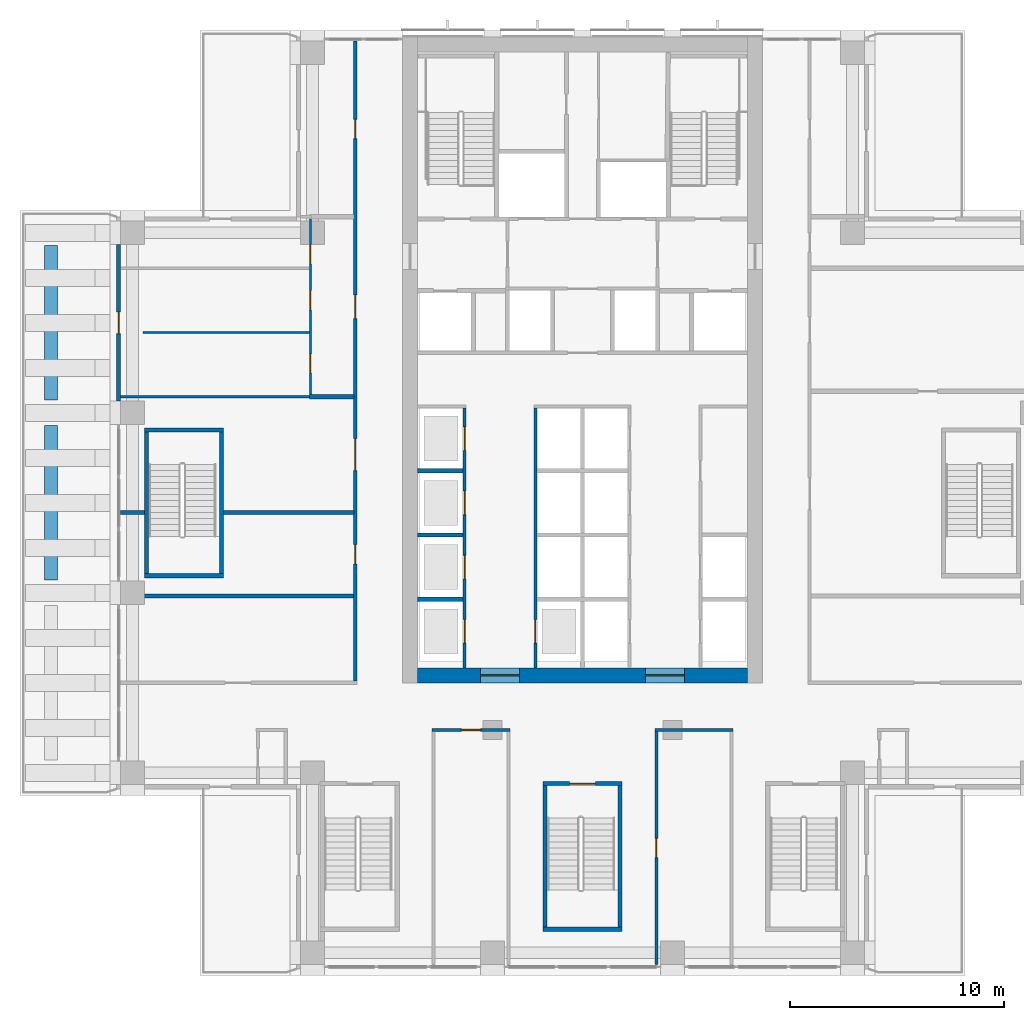
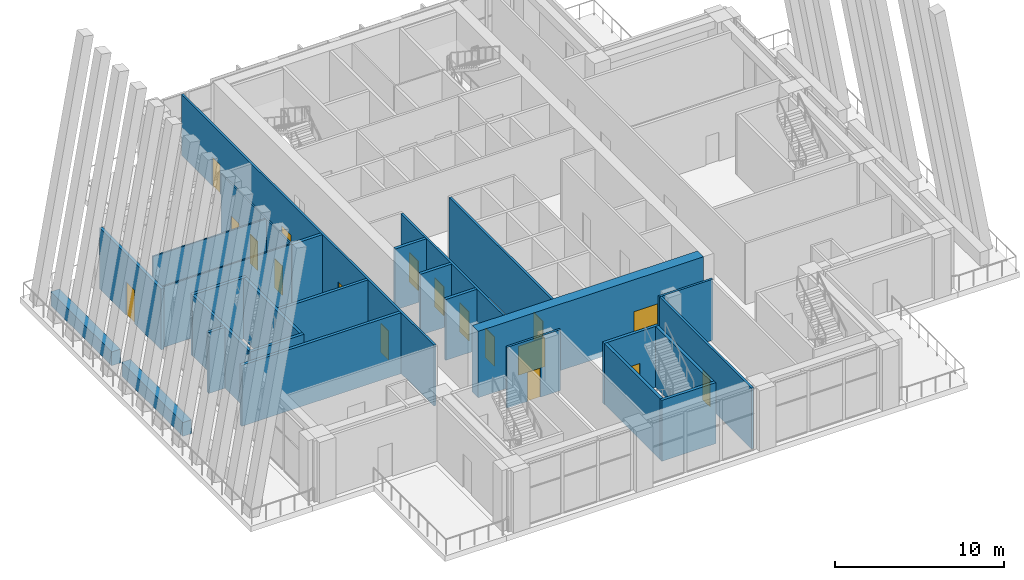
# One storey, part 9 of 19: 28 walls, 18 doors, 18 openings.
"""IFC4 building model written with IfcOpenShell, lengths in metres."""

from ifc_helpers import new_model, si_unit, direction, frame, frame_2d, origin, place, context, subcontext, project, spatial, rectangle, extrude, material, layer, layer_set, type_object, element, fill, save


model = new_model("IFC4")

# Units and contexts
model_context = context("Model", 3, precision=1e-05, world=origin(), true_north=direction((0.0, 1.0)))
body_context = subcontext(model_context, "Body", "Model", "MODEL_VIEW")
ifc_project = project(units=[si_unit("LENGTHUNIT", "METRE"), si_unit("AREAUNIT", "SQUARE_METRE"), si_unit("VOLUMEUNIT", "CUBIC_METRE"), si_unit("PLANEANGLEUNIT", "RADIAN"), si_unit("MASSUNIT", "GRAM", prefix="KILO")], contexts=[model_context])

# Site, building, storey
site_placement = place(None, origin())
site = spatial("IfcSite", under=ifc_project, at=site_placement, CompositionType="ELEMENT")
building_placement = place(site_placement, origin())
building = spatial("IfcBuilding", under=site, at=building_placement, Name="Vermilion Ogive Tower", CompositionType="ELEMENT")
storey_placement = place(building_placement, frame((0.0, 0.0, 128.300048828125)))
storey = spatial("IfcBuildingStorey", under=building, at=storey_placement, Name="L32", CompositionType="ELEMENT", Elevation=128.300048828125)

# Wall, openings, doors
ifc_material_1 = material(Name="Concrete B60", Category="concrete")
ifc_layer_1 = layer(ifc_material_1, 0.699951171875)
ifc_layer_set_1 = layer_set([ifc_layer_1], Name="Core wall 700 B60")
wall_type_1 = type_object("IfcWallType", Name="Core wall 700 B60", PredefinedType="SHEAR", material=ifc_layer_set_1)
wall_1_placement = place(storey_placement, frame((-7.699951171875, -8.050048828125, -0.400146484375), z_axis=(0.0, 0.0, 1.0), x_axis=(1.0, 0.0, 0.0)))
wall_1 = element("IfcWall", 1, at=wall_1_placement, inside=storey, type_object=wall_type_1, Name="L32-CORE-S", PredefinedType="SHEAR", context=body_context, shape_type="SweptSolid", body=[
    extrude(rectangle(XDim=15.39990234375, YDim=0.699951171875, at=frame_2d((7.699951171875, 0.0))), origin(), (0.0, 0.0, 1.0), 4.800048828125),
])
opening_1_placement = place(wall_1_placement, frame((2.949951171875, 0.0, 0.39990234375)))
opening_1 = element("IfcOpeningElement", 2, at=opening_1_placement, cuts=wall_1, Name="Opening DBT001", PredefinedType="OPENING", context=body_context, shape_type="SweptSolid", body=[
    extrude(rectangle(XDim=1.800048828125, YDim=2.10009765625, at=frame_2d((0.89990234375, 1.050048828125))), frame((0.0, 0.35986328125, 0.0), z_axis=(0.0, -1.0, 0.0), x_axis=(1.0, 0.0, 0.0)), (0.0, 0.0, 1.0), 0.719970703125),
])
opening_2_placement = place(wall_1_placement, frame((10.64990234375, 0.0, 0.39990234375)))
opening_2 = element("IfcOpeningElement", 3, at=opening_2_placement, cuts=wall_1, Name="Opening DBT002", PredefinedType="OPENING", context=body_context, shape_type="SweptSolid", body=[
    extrude(rectangle(XDim=1.800048828125, YDim=2.10009765625, at=frame_2d((0.89990234375, 1.050048828125))), frame((0.0, 0.35986328125, 0.0), z_axis=(0.0, -1.0, 0.0), x_axis=(1.0, 0.0, 0.0)), (0.0, 0.0, 1.0), 0.719970703125),
])
ifc_material_2 = material(Name="Timber door leaf", Category="wood")
door_type_1 = type_object("IfcDoorType", Name="Core entry door 1800 x 2100 FD60S", OperationType="DOUBLE_DOOR_SINGLE_SWING", PredefinedType="DOOR", material=ifc_material_2)
door_1_placement = place(opening_1_placement, origin())
door_1 = element("IfcDoor", 4, at=door_1_placement, inside=storey, type_object=door_type_1, Name="L32-CK-XD1", OperationType="SINGLE_SWING_LEFT", OverallHeight=2.10009765625, OverallWidth=1.800048828125, PredefinedType="DOOR", context=body_context, shape_type="SweptSolid", body=[
    extrude(rectangle(XDim=1.800048828125, YDim=2.10009765625, at=frame_2d((0.89990234375, 1.050048828125))), frame((0.0, 0.02490234375, 0.0), z_axis=(0.0, -1.0, 0.0), x_axis=(1.0, 0.0, 0.0)), (0.0, 0.0, 1.0), 0.050048828125),
])
fill(opening_1, door_1)
door_2_placement = place(opening_2_placement, origin())
door_2 = element("IfcDoor", 5, at=door_2_placement, inside=storey, type_object=door_type_1, Name="L32-CK-XD2", OperationType="SINGLE_SWING_LEFT", OverallHeight=2.10009765625, OverallWidth=1.800048828125, PredefinedType="DOOR", context=body_context, shape_type="SweptSolid", body=[
    extrude(rectangle(XDim=1.800048828125, YDim=2.10009765625, at=frame_2d((0.89990234375, 1.050048828125))), frame((0.0, 0.02490234375, 0.0), z_axis=(0.0, -1.0, 0.0), x_axis=(1.0, 0.0, 0.0)), (0.0, 0.0, 1.0), 0.050048828125),
])
fill(opening_2, door_2)

# Walls
ifc_material_3 = material(Name="Gypsum board partition on steel studs", Category="steel")
ifc_layer_2 = layer(ifc_material_3, 0.10009765625)
ifc_layer_set_2 = layer_set([ifc_layer_2], Name="Partition 100 bath")
wall_type_2 = type_object("IfcWallType", Name="Partition 100 bath", PredefinedType="PARTITIONING", material=ifc_layer_set_2)
wall_2_placement = place(storey_placement, frame((-21.550048828125, 4.949951171875, 0.0), z_axis=(0.0, 0.0, 1.0), x_axis=(1.0, 0.0, 0.0)))
element("IfcWall", 6, at=wall_2_placement, inside=storey, type_object=wall_type_2, Name="L32-FS-W-W011", PredefinedType="PARTITIONING", context=body_context, shape_type="SweptSolid", body=[
    extrude(rectangle(XDim=8.900146484375, YDim=0.10009765625, at=frame_2d((4.4501953125, 0.0))), origin(), (0.0, 0.0, 1.0), 4.39990234375),
])
wall_3_placement = place(storey_placement, frame((-20.5, 7.949951171875, 0.0), z_axis=(0.0, 0.0, 1.0), x_axis=(1.0, 0.0, 0.0)))
element("IfcWall", 7, at=wall_3_placement, inside=storey, type_object=wall_type_2, Name="L32-FS-W-W014", PredefinedType="PARTITIONING", context=body_context, shape_type="SweptSolid", body=[
    extrude(rectangle(XDim=7.75, YDim=0.10009765625, at=frame_2d((3.875, 0.0))), origin(), (0.0, 0.0, 1.0), 4.39990234375),
])

# Wall, openings, doors
wall_4_placement = place(storey_placement, frame((-12.699951171875, 5.050048828125, 0.0), z_axis=(0.0, 0.0, 1.0), x_axis=(0.0, 1.0, 0.0)))
wall_4 = element("IfcWall", 8, at=wall_4_placement, inside=storey, type_object=wall_type_2, Name="L32-FS-W-W022", PredefinedType="PARTITIONING", context=body_context, shape_type="SweptSolid", body=[
    extrude(rectangle(XDim=8.199951171875, YDim=0.10009765625, at=frame_2d((4.10009765625, 0.0))), origin(), (0.0, 0.0, 1.0), 4.39990234375),
])
opening_3_placement = place(wall_4_placement, frame((1.0, 0.0, 0.0)))
opening_3 = element("IfcOpeningElement", 9, at=opening_3_placement, cuts=wall_4, Name="Opening L32S004", PredefinedType="OPENING", context=body_context, shape_type="SweptSolid", body=[
    extrude(rectangle(XDim=0.89990234375, YDim=2.10009765625, at=frame_2d((0.449951171875, 1.050048828125))), frame((0.0, 0.06005859375, 0.0), z_axis=(0.0, -1.0, 0.0), x_axis=(1.0, 0.0, 0.0)), (0.0, 0.0, 1.0), 0.1201171875),
])
opening_4_placement = place(wall_4_placement, frame((3.949951171875, 0.0, 0.0)))
opening_4 = element("IfcOpeningElement", 10, at=opening_4_placement, cuts=wall_4, Name="Opening L32S005", PredefinedType="OPENING", context=body_context, shape_type="SweptSolid", body=[
    extrude(rectangle(XDim=0.89990234375, YDim=2.10009765625, at=frame_2d((0.449951171875, 1.050048828125))), frame((0.0, 0.06005859375, 0.0), z_axis=(0.0, -1.0, 0.0), x_axis=(1.0, 0.0, 0.0)), (0.0, 0.0, 1.0), 0.1201171875),
])
opening_5_placement = place(wall_4_placement, frame((6.099853515625, 0.0, 0.0)))
opening_5 = element("IfcOpeningElement", 11, at=opening_5_placement, cuts=wall_4, Name="Opening L32S006", PredefinedType="OPENING", context=body_context, shape_type="SweptSolid", body=[
    extrude(rectangle(XDim=0.89990234375, YDim=2.10009765625, at=frame_2d((0.449951171875, 1.050048828125))), frame((0.0, 0.06005859375, 0.0), z_axis=(0.0, -1.0, 0.0), x_axis=(1.0, 0.0, 0.0)), (0.0, 0.0, 1.0), 0.1201171875),
])
ifc_material_4 = material(Name="Timber door leaf", Category="wood")
door_type_2 = type_object("IfcDoorType", Name="Room door 900 x 2100 FD30", OperationType="SINGLE_SWING_LEFT", PredefinedType="DOOR", material=ifc_material_4)
door_3_placement = place(opening_3_placement, origin())
door_3 = element("IfcDoor", 12, at=door_3_placement, inside=storey, type_object=door_type_2, Name="L32-FS-D-D004", OperationType="SINGLE_SWING_LEFT", OverallHeight=2.10009765625, OverallWidth=0.89990234375, PredefinedType="DOOR", context=body_context, shape_type="SweptSolid", body=[
    extrude(rectangle(XDim=0.89990234375, YDim=2.10009765625, at=frame_2d((0.449951171875, 1.050048828125))), frame((0.0, 0.02490234375, 0.0), z_axis=(0.0, -1.0, 0.0), x_axis=(1.0, 0.0, 0.0)), (0.0, 0.0, 1.0), 0.050048828125),
])
fill(opening_3, door_3)
door_4_placement = place(opening_4_placement, origin())
door_4 = element("IfcDoor", 13, at=door_4_placement, inside=storey, type_object=door_type_2, Name="L32-FS-D-D005", OperationType="SINGLE_SWING_LEFT", OverallHeight=2.10009765625, OverallWidth=0.89990234375, PredefinedType="DOOR", context=body_context, shape_type="SweptSolid", body=[
    extrude(rectangle(XDim=0.89990234375, YDim=2.10009765625, at=frame_2d((0.449951171875, 1.050048828125))), frame((0.0, 0.02490234375, 0.0), z_axis=(0.0, -1.0, 0.0), x_axis=(1.0, 0.0, 0.0)), (0.0, 0.0, 1.0), 0.050048828125),
])
fill(opening_4, door_4)
door_5_placement = place(opening_5_placement, origin())
door_5 = element("IfcDoor", 14, at=door_5_placement, inside=storey, type_object=door_type_2, Name="L32-FS-D-D006", OperationType="SINGLE_SWING_LEFT", OverallHeight=2.10009765625, OverallWidth=0.89990234375, PredefinedType="DOOR", context=body_context, shape_type="SweptSolid", body=[
    extrude(rectangle(XDim=0.89990234375, YDim=2.10009765625, at=frame_2d((0.449951171875, 1.050048828125))), frame((0.0, 0.02490234375, 0.0), z_axis=(0.0, -1.0, 0.0), x_axis=(1.0, 0.0, 0.0)), (0.0, 0.0, 1.0), 0.050048828125),
])
fill(opening_5, door_5)

# Wall, opening, door
ifc_material_5 = material(Name="Gypsum board partition on steel studs", Category="steel")
ifc_layer_3 = layer(ifc_material_5, 0.14990234375)
ifc_layer_set_3 = layer_set([ifc_layer_3], Name="Partition 150 corridor")
wall_type_3 = type_object("IfcWallType", Name="Partition 150 corridor", PredefinedType="PARTITIONING", material=ifc_layer_set_3)
wall_5_placement = place(storey_placement, frame((-7.02490234375, -10.60009765625, 0.0), z_axis=(0.0, 0.0, 1.0), x_axis=(1.0, 0.0, 0.0)))
wall_5 = element("IfcWall", 15, at=wall_5_placement, inside=storey, type_object=wall_type_3, Name="L32-FS-W-W002", PredefinedType="PARTITIONING", context=body_context, shape_type="SweptSolid", body=[
    extrude(rectangle(XDim=3.64990234375, YDim=0.14990234375, at=frame_2d((1.824951171875, 0.0))), origin(), (0.0, 0.0, 1.0), 4.39990234375),
])
opening_6_placement = place(wall_5_placement, frame((1.375, 0.0, 0.0)))
opening_6 = element("IfcOpeningElement", 16, at=opening_6_placement, cuts=wall_5, Name="Opening L32S013", PredefinedType="OPENING", context=body_context, shape_type="SweptSolid", body=[
    extrude(rectangle(XDim=0.89990234375, YDim=2.10009765625, at=frame_2d((0.449951171875, 1.050048828125))), frame((0.0, 0.0849609375, 0.0), z_axis=(0.0, -1.0, 0.0), x_axis=(1.0, 0.0, 0.0)), (0.0, 0.0, 1.0), 0.169921875),
])
door_6_placement = place(opening_6_placement, origin())
door_6 = element("IfcDoor", 17, at=door_6_placement, inside=storey, type_object=door_type_2, Name="L32-FS-D-D013", OperationType="SINGLE_SWING_RIGHT", OverallHeight=2.10009765625, OverallWidth=0.89990234375, PredefinedType="DOOR", context=body_context, shape_type="SweptSolid", body=[
    extrude(rectangle(XDim=0.89990234375, YDim=2.10009765625, at=frame_2d((0.449951171875, 1.050048828125))), frame((0.0, 0.02490234375, 0.0), z_axis=(0.0, -1.0, 0.0), x_axis=(1.0, 0.0, 0.0)), (0.0, 0.0, 1.0), 0.050048828125),
])
fill(opening_6, door_6)

# Wall
wall_6_placement = place(storey_placement, frame((3.375, -10.60009765625, 0.0), z_axis=(0.0, 0.0, 1.0), x_axis=(1.0, 0.0, 0.0)))
element("IfcWall", 18, at=wall_6_placement, inside=storey, type_object=wall_type_3, Name="L32-FS-W-W003", PredefinedType="PARTITIONING", context=body_context, shape_type="SweptSolid", body=[
    extrude(rectangle(XDim=3.64990234375, YDim=0.14990234375, at=frame_2d((1.824951171875, 0.0))), origin(), (0.0, 0.0, 1.0), 4.39990234375),
])

# Wall, openings, doors
wall_7_placement = place(storey_placement, frame((-10.60009765625, -8.324951171875, 0.0), z_axis=(0.0, 0.0, 1.0), x_axis=(0.0, 1.0, 0.0)))
wall_7 = element("IfcWall", 19, at=wall_7_placement, inside=storey, type_object=wall_type_3, Name="L32-FS-W-W023", PredefinedType="PARTITIONING", context=body_context, shape_type="SweptSolid", body=[
    extrude(rectangle(XDim=29.875, YDim=0.14990234375, at=frame_2d((14.9375, 0.0))), origin(), (0.0, 0.0, 1.0), 4.39990234375),
])
opening_7_placement = place(wall_7_placement, frame((16.925048828125, 0.0, 0.0)))
opening_7 = element("IfcOpeningElement", 20, at=opening_7_placement, cuts=wall_7, Name="Opening L32S003", PredefinedType="OPENING", context=body_context, shape_type="SweptSolid", body=[
    extrude(rectangle(XDim=1.10009765625, YDim=2.10009765625, at=frame_2d((0.550048828125, 1.050048828125))), frame((0.0, 0.0849609375, 0.0), z_axis=(0.0, -1.0, 0.0), x_axis=(1.0, 0.0, 0.0)), (0.0, 0.0, 1.0), 0.169921875),
])
opening_8_placement = place(wall_7_placement, frame((5.474853515625, 0.0, 0.0)))
opening_8 = element("IfcOpeningElement", 21, at=opening_8_placement, cuts=wall_7, Name="Opening L32S007", PredefinedType="OPENING", context=body_context, shape_type="SweptSolid", body=[
    extrude(rectangle(XDim=0.89990234375, YDim=2.10009765625, at=frame_2d((0.449951171875, 1.050048828125))), frame((0.0, 0.0849609375, 0.0), z_axis=(0.0, -1.0, 0.0), x_axis=(1.0, 0.0, 0.0)), (0.0, 0.0, 1.0), 0.169921875),
])
opening_9_placement = place(wall_7_placement, frame((9.824951171875, 0.0, 0.0)))
opening_9 = element("IfcOpeningElement", 22, at=opening_9_placement, cuts=wall_7, Name="Opening L32S008", PredefinedType="OPENING", context=body_context, shape_type="SweptSolid", body=[
    extrude(rectangle(XDim=1.5, YDim=2.10009765625, at=frame_2d((0.75, 1.050048828125))), frame((0.0, 0.0849609375, 0.0), z_axis=(0.0, -1.0, 0.0), x_axis=(1.0, 0.0, 0.0)), (0.0, 0.0, 1.0), 0.169921875),
])
opening_10_placement = place(wall_7_placement, frame((25.324951171875, 0.0, 0.0)))
opening_10 = element("IfcOpeningElement", 23, at=opening_10_placement, cuts=wall_7, Name="Opening L32S015", PredefinedType="OPENING", context=body_context, shape_type="SweptSolid", body=[
    extrude(rectangle(XDim=0.89990234375, YDim=2.10009765625, at=frame_2d((0.449951171875, 1.050048828125))), frame((0.0, 0.0849609375, 0.0), z_axis=(0.0, -1.0, 0.0), x_axis=(1.0, 0.0, 0.0)), (0.0, 0.0, 1.0), 0.169921875),
])
ifc_material_6 = material(Name="Timber door leaf", Category="wood")
door_type_3 = type_object("IfcDoorType", Name="Assembly door 1500 x 2100 FD30", OperationType="DOUBLE_DOOR_SINGLE_SWING", PredefinedType="DOOR", material=ifc_material_6)
door_7_placement = place(opening_9_placement, origin())
door_7 = element("IfcDoor", 24, at=door_7_placement, inside=storey, type_object=door_type_3, Name="L32-FS-D-D008", OperationType="DOUBLE_DOOR_SINGLE_SWING", OverallHeight=2.10009765625, OverallWidth=1.5, PredefinedType="DOOR", context=body_context, shape_type="SweptSolid", body=[
    extrude(rectangle(XDim=1.5, YDim=2.10009765625, at=frame_2d((0.75, 1.050048828125))), frame((0.0, 0.02490234375, 0.0), z_axis=(0.0, -1.0, 0.0), x_axis=(1.0, 0.0, 0.0)), (0.0, 0.0, 1.0), 0.050048828125),
])
fill(opening_9, door_7)
door_8_placement = place(opening_8_placement, origin())
door_8 = element("IfcDoor", 25, at=door_8_placement, inside=storey, type_object=door_type_2, Name="L32-FS-D-D007", OperationType="SINGLE_SWING_RIGHT", OverallHeight=2.10009765625, OverallWidth=0.89990234375, PredefinedType="DOOR", context=body_context, shape_type="SweptSolid", body=[
    extrude(rectangle(XDim=0.89990234375, YDim=2.10009765625, at=frame_2d((0.449951171875, 1.050048828125))), frame((0.0, 0.02490234375, 0.0), z_axis=(0.0, -1.0, 0.0), x_axis=(1.0, 0.0, 0.0)), (0.0, 0.0, 1.0), 0.050048828125),
])
fill(opening_8, door_8)
door_9_placement = place(opening_10_placement, origin())
door_9 = element("IfcDoor", 26, at=door_9_placement, inside=storey, type_object=door_type_2, Name="L32-FS-D-D015", OperationType="SINGLE_SWING_LEFT", OverallHeight=2.10009765625, OverallWidth=0.89990234375, PredefinedType="DOOR", context=body_context, shape_type="SweptSolid", body=[
    extrude(rectangle(XDim=0.89990234375, YDim=2.10009765625, at=frame_2d((0.449951171875, 1.050048828125))), frame((0.0, 0.02490234375, 0.0), z_axis=(0.0, -1.0, 0.0), x_axis=(1.0, 0.0, 0.0)), (0.0, 0.0, 1.0), 0.050048828125),
])
fill(opening_10, door_9)
ifc_material_7 = material(Name="Timber door leaf", Category="wood")
door_type_4 = type_object("IfcDoorType", Name="Wc door 1100 x 2100 FD30", OperationType="SINGLE_SWING_LEFT", PredefinedType="DOOR", material=ifc_material_7)
door_10_placement = place(opening_7_placement, origin())
door_10 = element("IfcDoor", 27, at=door_10_placement, inside=storey, type_object=door_type_4, Name="L32-FS-D-D003", OperationType="SINGLE_SWING_RIGHT", OverallHeight=2.10009765625, OverallWidth=1.10009765625, PredefinedType="DOOR", context=body_context, shape_type="SweptSolid", body=[
    extrude(rectangle(XDim=1.10009765625, YDim=2.10009765625, at=frame_2d((0.550048828125, 1.050048828125))), frame((0.0, 0.02490234375, 0.0), z_axis=(0.0, -1.0, 0.0), x_axis=(1.0, 0.0, 0.0)), (0.0, 0.0, 1.0), 0.050048828125),
])
fill(opening_7, door_10)

# Wall, opening, door
wall_8_placement = place(storey_placement, frame((3.449951171875, -21.550048828125, 0.0), z_axis=(0.0, 0.0, 1.0), x_axis=(0.0, 1.0, 0.0)))
wall_8 = element("IfcWall", 28, at=wall_8_placement, inside=storey, type_object=wall_type_3, Name="L32-FS-W-W026", PredefinedType="PARTITIONING", context=body_context, shape_type="SweptSolid", body=[
    extrude(rectangle(XDim=10.875, YDim=0.14990234375, at=frame_2d((5.4375, 0.0))), origin(), (0.0, 0.0, 1.0), 4.39990234375),
])
opening_11_placement = place(wall_8_placement, frame((4.987548828125, 0.0, 0.0)))
opening_11 = element("IfcOpeningElement", 29, at=opening_11_placement, cuts=wall_8, Name="Opening L32S016", PredefinedType="OPENING", context=body_context, shape_type="SweptSolid", body=[
    extrude(rectangle(XDim=0.89990234375, YDim=2.10009765625, at=frame_2d((0.449951171875, 1.050048828125))), frame((0.0, 0.0849609375, 0.0), z_axis=(0.0, -1.0, 0.0), x_axis=(1.0, 0.0, 0.0)), (0.0, 0.0, 1.0), 0.169921875),
])
door_11_placement = place(opening_11_placement, origin())
door_11 = element("IfcDoor", 30, at=door_11_placement, inside=storey, type_object=door_type_2, Name="L32-FS-D-D016", OperationType="SINGLE_SWING_LEFT", OverallHeight=2.10009765625, OverallWidth=0.89990234375, PredefinedType="DOOR", context=body_context, shape_type="SweptSolid", body=[
    extrude(rectangle(XDim=0.89990234375, YDim=2.10009765625, at=frame_2d((0.449951171875, 1.050048828125))), frame((0.0, 0.02490234375, 0.0), z_axis=(0.0, -1.0, 0.0), x_axis=(1.0, 0.0, 0.0)), (0.0, 0.0, 1.0), 0.050048828125),
])
fill(opening_11, door_11)

# Wall, openings, doors
wall_9_placement = place(storey_placement, frame((-5.5, -7.698974609375, 0.0), z_axis=(0.0, 0.0, 1.0), x_axis=(0.0, 1.0, 0.0)))
wall_9 = element("IfcWall", 31, at=wall_9_placement, inside=storey, type_object=wall_type_3, Name="L32-CK-W-W021", PredefinedType="PARTITIONING", context=body_context, shape_type="SweptSolid", body=[
    extrude(rectangle(XDim=12.1240234375, YDim=0.14990234375, at=frame_2d((6.06201171875, 0.0))), origin(), (0.0, 0.0, 1.0), 4.39990234375),
])
opening_12_placement = place(wall_9_placement, frame((1.14892578125, 0.0, 0.0)))
opening_12 = element("IfcOpeningElement", 32, at=opening_12_placement, cuts=wall_9, Name="Opening DAN011", PredefinedType="OPENING", context=body_context, shape_type="SweptSolid", body=[
    extrude(rectangle(XDim=1.10009765625, YDim=2.10009765625, at=frame_2d((0.550048828125, 1.050048828125))), frame((0.0, 0.0849609375, 0.0), z_axis=(0.0, -1.0, 0.0), x_axis=(1.0, 0.0, 0.0)), (0.0, 0.0, 1.0), 0.169921875),
])
opening_13_placement = place(wall_9_placement, frame((4.14892578125, 0.0, 0.0)))
opening_13 = element("IfcOpeningElement", 33, at=opening_13_placement, cuts=wall_9, Name="Opening DAN017", PredefinedType="OPENING", context=body_context, shape_type="SweptSolid", body=[
    extrude(rectangle(XDim=1.10009765625, YDim=2.10009765625, at=frame_2d((0.550048828125, 1.050048828125))), frame((0.0, 0.0849609375, 0.0), z_axis=(0.0, -1.0, 0.0), x_axis=(1.0, 0.0, 0.0)), (0.0, 0.0, 1.0), 0.169921875),
])
opening_14_placement = place(wall_9_placement, frame((7.14892578125, 0.0, 0.0)))
opening_14 = element("IfcOpeningElement", 34, at=opening_14_placement, cuts=wall_9, Name="Opening DAN018", PredefinedType="OPENING", context=body_context, shape_type="SweptSolid", body=[
    extrude(rectangle(XDim=1.10009765625, YDim=2.10009765625, at=frame_2d((0.550048828125, 1.050048828125))), frame((0.0, 0.0849609375, 0.0), z_axis=(0.0, -1.0, 0.0), x_axis=(1.0, 0.0, 0.0)), (0.0, 0.0, 1.0), 0.169921875),
])
opening_15_placement = place(wall_9_placement, frame((10.14892578125, 0.0, 0.0)))
opening_15 = element("IfcOpeningElement", 35, at=opening_15_placement, cuts=wall_9, Name="Opening DAN019", PredefinedType="OPENING", context=body_context, shape_type="SweptSolid", body=[
    extrude(rectangle(XDim=1.10009765625, YDim=2.10009765625, at=frame_2d((0.550048828125, 1.050048828125))), frame((0.0, 0.0849609375, 0.0), z_axis=(0.0, -1.0, 0.0), x_axis=(1.0, 0.0, 0.0)), (0.0, 0.0, 1.0), 0.169921875),
])
ifc_material_8 = material(Name="Stainless steel", Category="steel")
door_type_5 = type_object("IfcDoorType", Name="Lift landing door 1100 x 2100", OperationType="SLIDING_TO_LEFT", PredefinedType="DOOR", material=ifc_material_8)
door_12_placement = place(opening_12_placement, origin())
door_12 = element("IfcDoor", 36, at=door_12_placement, inside=storey, type_object=door_type_5, Name="L32-CK-D-D001", OperationType="SLIDING_TO_LEFT", OverallHeight=2.10009765625, OverallWidth=1.10009765625, PredefinedType="DOOR", context=body_context, shape_type="SweptSolid", body=[
    extrude(rectangle(XDim=1.10009765625, YDim=2.10009765625, at=frame_2d((0.550048828125, 1.050048828125))), frame((0.0, 0.02490234375, 0.0), z_axis=(0.0, -1.0, 0.0), x_axis=(1.0, 0.0, 0.0)), (0.0, 0.0, 1.0), 0.050048828125),
])
fill(opening_12, door_12)
door_13_placement = place(opening_13_placement, origin())
door_13 = element("IfcDoor", 37, at=door_13_placement, inside=storey, type_object=door_type_5, Name="L32-CK-D-D002", OperationType="SLIDING_TO_LEFT", OverallHeight=2.10009765625, OverallWidth=1.10009765625, PredefinedType="DOOR", context=body_context, shape_type="SweptSolid", body=[
    extrude(rectangle(XDim=1.10009765625, YDim=2.10009765625, at=frame_2d((0.550048828125, 1.050048828125))), frame((0.0, 0.02490234375, 0.0), z_axis=(0.0, -1.0, 0.0), x_axis=(1.0, 0.0, 0.0)), (0.0, 0.0, 1.0), 0.050048828125),
])
fill(opening_13, door_13)
door_14_placement = place(opening_14_placement, origin())
door_14 = element("IfcDoor", 38, at=door_14_placement, inside=storey, type_object=door_type_5, Name="L32-CK-D-D003", OperationType="SLIDING_TO_LEFT", OverallHeight=2.10009765625, OverallWidth=1.10009765625, PredefinedType="DOOR", context=body_context, shape_type="SweptSolid", body=[
    extrude(rectangle(XDim=1.10009765625, YDim=2.10009765625, at=frame_2d((0.550048828125, 1.050048828125))), frame((0.0, 0.02490234375, 0.0), z_axis=(0.0, -1.0, 0.0), x_axis=(1.0, 0.0, 0.0)), (0.0, 0.0, 1.0), 0.050048828125),
])
fill(opening_14, door_14)
door_15_placement = place(opening_15_placement, origin())
door_15 = element("IfcDoor", 39, at=door_15_placement, inside=storey, type_object=door_type_5, Name="L32-CK-D-D004", OperationType="SLIDING_TO_LEFT", OverallHeight=2.10009765625, OverallWidth=1.10009765625, PredefinedType="DOOR", context=body_context, shape_type="SweptSolid", body=[
    extrude(rectangle(XDim=1.10009765625, YDim=2.10009765625, at=frame_2d((0.550048828125, 1.050048828125))), frame((0.0, 0.02490234375, 0.0), z_axis=(0.0, -1.0, 0.0), x_axis=(1.0, 0.0, 0.0)), (0.0, 0.0, 1.0), 0.050048828125),
])
fill(opening_15, door_15)

# Wall, opening, door
wall_10_placement = place(storey_placement, frame((-2.199951171875, -7.698974609375, 0.0), z_axis=(0.0, 0.0, 1.0), x_axis=(0.0, 1.0, 0.0)))
wall_10 = element("IfcWall", 40, at=wall_10_placement, inside=storey, type_object=wall_type_3, Name="L32-CK-W-W026", PredefinedType="PARTITIONING", context=body_context, shape_type="SweptSolid", body=[
    extrude(rectangle(XDim=12.1240234375, YDim=0.14990234375, at=frame_2d((6.06201171875, 0.0))), origin(), (0.0, 0.0, 1.0), 4.39990234375),
])
opening_16_placement = place(wall_10_placement, frame((1.14892578125, 0.0, 0.0)))
opening_16 = element("IfcOpeningElement", 41, at=opening_16_placement, cuts=wall_10, Name="Opening DAN020", PredefinedType="OPENING", context=body_context, shape_type="SweptSolid", body=[
    extrude(rectangle(XDim=1.10009765625, YDim=2.10009765625, at=frame_2d((0.550048828125, 1.050048828125))), frame((0.0, 0.0849609375, 0.0), z_axis=(0.0, -1.0, 0.0), x_axis=(1.0, 0.0, 0.0)), (0.0, 0.0, 1.0), 0.169921875),
])
door_16_placement = place(opening_16_placement, origin())
door_16 = element("IfcDoor", 42, at=door_16_placement, inside=storey, type_object=door_type_5, Name="L32-CK-D-D005", OperationType="SLIDING_TO_LEFT", OverallHeight=2.10009765625, OverallWidth=1.10009765625, PredefinedType="DOOR", context=body_context, shape_type="SweptSolid", body=[
    extrude(rectangle(XDim=1.10009765625, YDim=2.10009765625, at=frame_2d((0.550048828125, 1.050048828125))), frame((0.0, 0.02490234375, 0.0), z_axis=(0.0, -1.0, 0.0), x_axis=(1.0, 0.0, 0.0)), (0.0, 0.0, 1.0), 0.050048828125),
])
fill(opening_16, door_16)

# Walls
ifc_material_9 = material(Name="Gypsum board partition on steel studs", Category="steel")
ifc_layer_4 = layer(ifc_material_9, 0.199951171875)
ifc_layer_set_4 = layer_set([ifc_layer_4], Name="Partition 200 party")
wall_type_4 = type_object("IfcWallType", Name="Partition 200 party", PredefinedType="PARTITIONING", material=ifc_layer_set_4)
wall_11_placement = place(storey_placement, frame((-21.550048828125, -4.35009765625, 0.0), z_axis=(0.0, 0.0, 1.0), x_axis=(1.0, 0.0, 0.0)))
element("IfcWall", 43, at=wall_11_placement, inside=storey, type_object=wall_type_4, Name="L32-FS-W-W007", PredefinedType="PARTITIONING", context=body_context, shape_type="SweptSolid", body=[
    extrude(rectangle(XDim=10.875, YDim=0.199951171875, at=frame_2d((5.4375, 0.0))), origin(), (0.0, 0.0, 1.0), 4.39990234375),
])
wall_12_placement = place(storey_placement, frame((-21.550048828125, -0.449951171875, 0.0), z_axis=(0.0, 0.0, 1.0), x_axis=(1.0, 0.0, 0.0)))
element("IfcWall", 44, at=wall_12_placement, inside=storey, type_object=wall_type_4, Name="L32-FS-W-W009", PredefinedType="PARTITIONING", context=body_context, shape_type="SweptSolid", body=[
    extrude(rectangle(XDim=1.10009765625, YDim=0.199951171875, at=frame_2d((0.550048828125, 0.0))), origin(), (0.0, 0.0, 1.0), 4.39990234375),
])
wall_13_placement = place(storey_placement, frame((-16.75, -0.449951171875, 0.0), z_axis=(0.0, 0.0, 1.0), x_axis=(1.0, 0.0, 0.0)))
element("IfcWall", 45, at=wall_13_placement, inside=storey, type_object=wall_type_4, Name="L32-FS-W-W010", PredefinedType="PARTITIONING", context=body_context, shape_type="SweptSolid", body=[
    extrude(rectangle(XDim=6.074951171875, YDim=0.199951171875, at=frame_2d((3.03759765625, 0.0))), origin(), (0.0, 0.0, 1.0), 4.39990234375),
])
wall_14_placement = place(storey_placement, frame((-12.75, 4.949951171875, 0.0), z_axis=(0.0, 0.0, 1.0), x_axis=(1.0, 0.0, 0.0)))
element("IfcWall", 46, at=wall_14_placement, inside=storey, type_object=wall_type_4, Name="L32-FS-W-W012", PredefinedType="PARTITIONING", context=body_context, shape_type="SweptSolid", body=[
    extrude(rectangle(XDim=2.074951171875, YDim=0.199951171875, at=frame_2d((1.03759765625, 0.0))), origin(), (0.0, 0.0, 1.0), 4.39990234375),
])
for number, where, z_axis, x_axis, name in (
    (47, (-7.698974609375, -4.5, 0.0), (0.0, 0.0, 1.0), (1.0, 0.0, 0.0), "L32-CK-W-W001"),
    (48, (-7.698974609375, -1.5, 0.0), (0.0, 0.0, 1.0), (1.0, 0.0, 0.0), "L32-CK-W-W004"),
    (49, (-7.698974609375, 1.5, 0.0), (0.0, 0.0, 1.0), (1.0, 0.0, 0.0), "L32-CK-W-W007"),
):
    element("IfcWall", number, at=place(storey_placement, frame(where, z_axis=z_axis, x_axis=x_axis)), inside=storey, type_object=wall_type_4, Name=name, PredefinedType="PARTITIONING", context=body_context, shape_type="SweptSolid", body=[
        extrude(rectangle(XDim=2.1240234375, YDim=0.199951171875, at=frame_2d((1.06201171875, 0.0))), origin(), (0.0, 0.0, 1.0), 4.39990234375),
    ])
ifc_material_10 = material(Name="Concrete B60", Category="concrete")
ifc_layer_5 = layer(ifc_material_10, 0.199951171875)
ifc_layer_set_5 = layer_set([ifc_layer_5], Name="Stair shaft wall 200 Concrete B60")
wall_type_5 = type_object("IfcWallType", Name="Stair shaft wall 200 Concrete B60", PredefinedType="SOLIDWALL", material=ifc_layer_set_5)
wall_15_placement = place(storey_placement, frame((-1.85009765625, -19.89990234375, 0.0), z_axis=(0.0, 0.0, 1.0), x_axis=(1.0, 0.0, 0.0)))
element("IfcWall", 50, at=wall_15_placement, inside=storey, type_object=wall_type_5, Name="L32-SW-ST4-S1", PredefinedType="SOLIDWALL", context=body_context, shape_type="SweptSolid", body=[
    extrude(rectangle(XDim=3.7001953125, YDim=0.199951171875, at=frame_2d((1.85009765625, 0.0))), origin(), (0.0, 0.0, 1.0), 4.39990234375),
])

# Wall, opening, door
wall_16_placement = place(storey_placement, frame((-1.85009765625, -13.10009765625, 0.0), z_axis=(0.0, 0.0, 1.0), x_axis=(1.0, 0.0, 0.0)))
wall_16 = element("IfcWall", 51, at=wall_16_placement, inside=storey, type_object=wall_type_5, Name="L32-SW-ST4-N1", PredefinedType="SOLIDWALL", context=body_context, shape_type="SweptSolid", body=[
    extrude(rectangle(XDim=3.7001953125, YDim=0.199951171875, at=frame_2d((1.85009765625, 0.0))), origin(), (0.0, 0.0, 1.0), 4.39990234375),
])
opening_17_placement = place(wall_16_placement, frame((1.25, 0.0, 0.0)))
opening_17 = element("IfcOpeningElement", 52, at=opening_17_placement, cuts=wall_16, Name="Opening L32-SD4", PredefinedType="OPENING", context=body_context, shape_type="SweptSolid", body=[
    extrude(rectangle(XDim=1.199951171875, YDim=2.10009765625, at=frame_2d((0.60009765625, 1.050048828125))), frame((0.0, 0.10986328125, 0.0), z_axis=(0.0, -1.0, 0.0), x_axis=(1.0, 0.0, 0.0)), (0.0, 0.0, 1.0), 0.219970703125),
])
ifc_material_11 = material(Name="Timber door leaf", Category="wood")
door_type_6 = type_object("IfcDoorType", Name="Stair door 1200 x 2100 FD60S", OperationType="SINGLE_SWING_LEFT", PredefinedType="DOOR", material=ifc_material_11)
door_17_placement = place(opening_17_placement, origin())
door_17 = element("IfcDoor", 53, at=door_17_placement, inside=storey, type_object=door_type_6, Name="Stair door ST4", OperationType="SINGLE_SWING_LEFT", OverallHeight=2.10009765625, OverallWidth=1.199951171875, PredefinedType="DOOR", context=body_context, shape_type="SweptSolid", body=[
    extrude(rectangle(XDim=1.199951171875, YDim=2.10009765625, at=frame_2d((0.60009765625, 1.050048828125))), frame((0.0, 0.02490234375, 0.0), z_axis=(0.0, -1.0, 0.0), x_axis=(1.0, 0.0, 0.0)), (0.0, 0.0, 1.0), 0.050048828125),
])
fill(opening_17, door_17)

# Walls
for number, where, z_axis, x_axis, name in (
    (54, (-1.75, -19.800048828125, 0.0), (0.0, 0.0, 1.0), (0.0, 1.0, 0.0), "L32-SW-ST4-W1"),
    (55, (1.75, -19.800048828125, 0.0), (0.0, 0.0, 1.0), (0.0, 1.0, 0.0), "L32-SW-ST4-E1"),
):
    element("IfcWall", number, at=place(storey_placement, frame(where, z_axis=z_axis, x_axis=x_axis)), inside=storey, type_object=wall_type_5, Name=name, PredefinedType="SOLIDWALL", context=body_context, shape_type="SweptSolid", body=[
        extrude(rectangle(XDim=6.60009765625, YDim=0.199951171875, at=frame_2d((3.300048828125, 0.0))), origin(), (0.0, 0.0, 1.0), 4.39990234375),
    ])
for number, where, z_axis, x_axis, name in (
    (56, (-20.449951171875, -3.39990234375, 0.0), (0.0, 0.0, 1.0), (1.0, 0.0, 0.0), "L32-SW-ST9-S1"),
    (57, (-20.449951171875, 3.39990234375, 0.0), (0.0, 0.0, 1.0), (1.0, 0.0, 0.0), "L32-SW-ST9-N1"),
):
    element("IfcWall", number, at=place(storey_placement, frame(where, z_axis=z_axis, x_axis=x_axis)), inside=storey, type_object=wall_type_5, Name=name, PredefinedType="SOLIDWALL", context=body_context, shape_type="SweptSolid", body=[
        extrude(rectangle(XDim=3.699951171875, YDim=0.199951171875, at=frame_2d((1.85009765625, 0.0))), origin(), (0.0, 0.0, 1.0), 4.39990234375),
    ])
for number, where, z_axis, x_axis, name in (
    (58, (-20.35009765625, -3.300048828125, 0.0), (0.0, 0.0, 1.0), (0.0, 1.0, 0.0), "L32-SW-ST9-W1"),
    (59, (-16.85009765625, -3.300048828125, 0.0), (0.0, 0.0, 1.0), (0.0, 1.0, 0.0), "L32-SW-ST9-E1"),
):
    element("IfcWall", number, at=place(storey_placement, frame(where, z_axis=z_axis, x_axis=x_axis)), inside=storey, type_object=wall_type_5, Name=name, PredefinedType="SOLIDWALL", context=body_context, shape_type="SweptSolid", body=[
        extrude(rectangle(XDim=6.60009765625, YDim=0.199951171875, at=frame_2d((3.300048828125, 0.0))), origin(), (0.0, 0.0, 1.0), 4.39990234375),
    ])
ifc_material_12 = material(Name="Concrete B40", Category="concrete")
ifc_layer_6 = layer(ifc_material_12, 0.60009765625)
ifc_layer_set_6 = layer_set([ifc_layer_6], Name="Terrace planter")
wall_type_6 = type_object("IfcWallType", Name="Terrace planter", PredefinedType="USERDEFINED", material=ifc_layer_set_6)
wall_17_placement = place(storey_placement, frame((-24.800048828125, -3.60009765625, 0.0), z_axis=(0.0, 0.0, 1.0), x_axis=(0.0, 1.0, 0.0)))
element("IfcWall", 60, at=wall_17_placement, inside=storey, type_object=wall_type_6, Name="Terrace planter 2.1.2", ObjectType="PLANTER", PredefinedType="USERDEFINED", context=body_context, shape_type="SweptSolid", body=[
    extrude(rectangle(XDim=7.2001953125, YDim=0.60009765625, at=frame_2d((3.60009765625, 0.0))), origin(), (0.0, 0.0, 1.0), 1.0),
])
wall_18_placement = place(storey_placement, frame((-24.800048828125, 4.800048828125, 0.0), z_axis=(0.0, 0.0, 1.0), x_axis=(0.0, 1.0, 0.0)))
element("IfcWall", 61, at=wall_18_placement, inside=storey, type_object=wall_type_6, Name="Terrace planter 2.1.3", ObjectType="PLANTER", PredefinedType="USERDEFINED", context=body_context, shape_type="SweptSolid", body=[
    extrude(rectangle(XDim=7.199951171875, YDim=0.60009765625, at=frame_2d((3.60009765625, 0.0))), origin(), (0.0, 0.0, 1.0), 1.0),
])

# Wall, opening, door
ifc_material_13 = material(Name="Aluminium window wall framing", Category="aluminium")
ifc_layer_7 = layer(ifc_material_13, 0.199951171875)
ifc_layer_set_7 = layer_set([ifc_layer_7], Name="Window wall")
wall_type_7 = type_object("IfcWallType", Name="Window wall", PredefinedType="STANDARD", material=ifc_layer_set_7)
wall_19_placement = place(storey_placement, frame((-21.64990234375, 12.050048828125, 0.0), z_axis=(0.0, 0.0, 1.0), x_axis=(0.0, -1.0, 0.0)))
wall_19 = element("IfcWall", 62, at=wall_19_placement, inside=storey, type_object=wall_type_7, Name="Window wall W1", PredefinedType="STANDARD", context=body_context, shape_type="SweptSolid", body=[
    extrude(rectangle(XDim=7.300048828125, YDim=0.199951171875, at=frame_2d((3.64990234375, 0.0))), origin(), (0.0, 0.0, 1.0), 4.39990234375),
])
opening_18_placement = place(wall_19_placement, frame((3.14990234375, 0.0, 0.0)))
opening_18 = element("IfcOpeningElement", 63, at=opening_18_placement, cuts=wall_19, Name="Opening D1-WX", PredefinedType="OPENING", context=body_context, shape_type="SweptSolid", body=[
    extrude(rectangle(XDim=1.0, YDim=2.39990234375, at=frame_2d((0.5, 1.199951171875))), frame((0.0, 0.10986328125, 0.0), z_axis=(0.0, -1.0, 0.0), x_axis=(1.0, 0.0, 0.0)), (0.0, 0.0, 1.0), 0.219970703125),
])
ifc_material_14 = material(Name="Aluminium framed glazed door", Category="aluminium")
door_type_7 = type_object("IfcDoorType", Name="Balcony door D1", OperationType="SINGLE_SWING_LEFT", PredefinedType="DOOR", material=ifc_material_14)
door_18_placement = place(opening_18_placement, origin())
door_18 = element("IfcDoor", 64, at=door_18_placement, inside=storey, type_object=door_type_7, Name="Terrace door WX", OperationType="SINGLE_SWING_LEFT", OverallHeight=2.39990234375, OverallWidth=1.0, PredefinedType="DOOR", context=body_context, shape_type="SweptSolid", body=[
    extrude(rectangle(XDim=1.0, YDim=2.39990234375, at=frame_2d((0.5, 1.199951171875))), frame((0.0, 0.02490234375, 0.0), z_axis=(0.0, -1.0, 0.0), x_axis=(1.0, 0.0, 0.0)), (0.0, 0.0, 1.0), 0.050048828125),
])
fill(opening_18, door_18)

save(model, "model.ifc")
